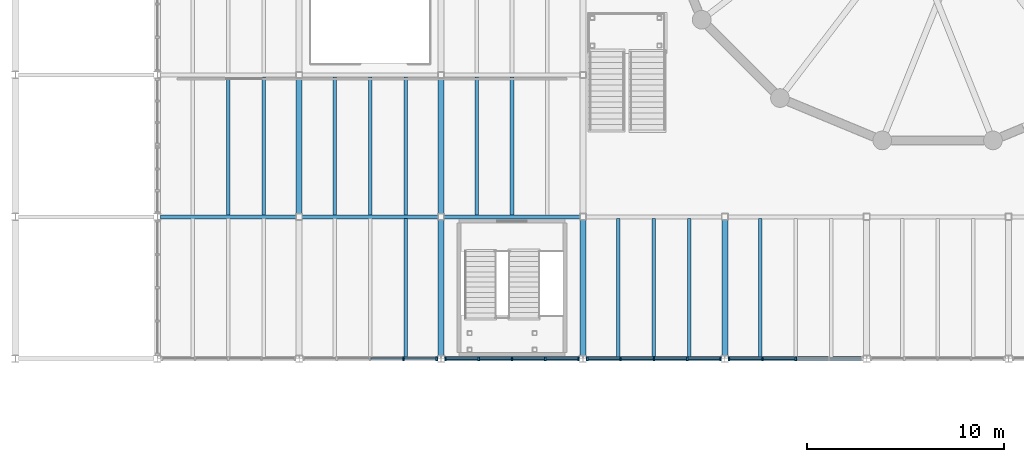
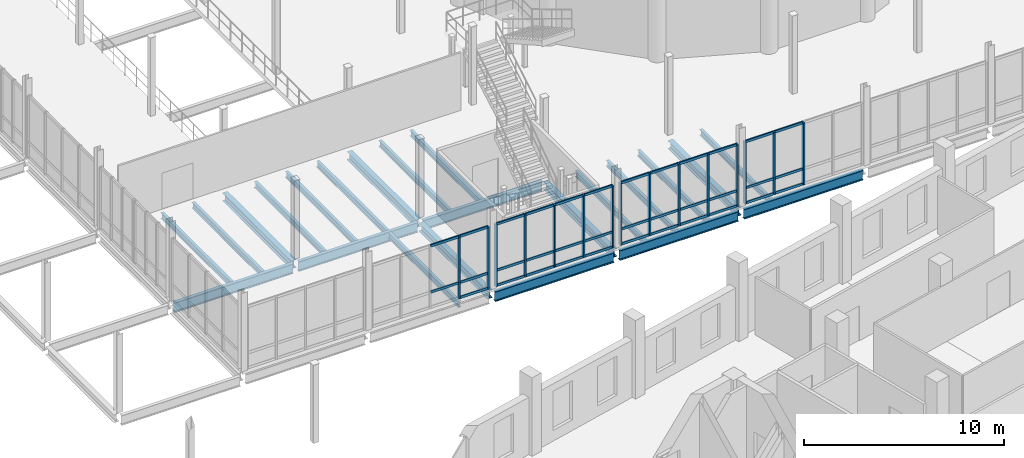
# One storey, part 22 of 77: 50 members, 23 beams, 4 elements without a shape of their own.
"""IFC4 building model written with IfcOpenShell, lengths in metres."""

from ifc_helpers import new_model, si_unit, direction, frame, origin, origin_2d, place, context, subcontext, project, spatial, rectangle, i_section, extrude, material, material_profile, profile_set, type_object, element, aggregate, save


model = new_model("IFC4")

# Units and contexts
model_context = context("Model", 3, precision=1e-05, world=origin(), true_north=direction((0.0, 1.0)))
body_context = subcontext(model_context, "Body", "Model", "MODEL_VIEW")
ifc_project = project(units=[si_unit("LENGTHUNIT", "METRE"), si_unit("AREAUNIT", "SQUARE_METRE"), si_unit("VOLUMEUNIT", "CUBIC_METRE"), si_unit("PLANEANGLEUNIT", "RADIAN"), si_unit("MASSUNIT", "GRAM", prefix="KILO")], contexts=[model_context])

# Site, building, storey
site_placement = place(None, origin())
site = spatial("IfcSite", under=ifc_project, at=site_placement, CompositionType="ELEMENT")
building_placement = place(site_placement, origin())
building = spatial("IfcBuilding", under=site, at=building_placement, Name="Qiaolan Assembly House", CompositionType="ELEMENT")
storey_placement = place(building_placement, frame((0.0, 0.0, 5.39990234375)))
storey = spatial("IfcBuildingStorey", under=building, at=storey_placement, Name="L01", CompositionType="ELEMENT", Elevation=5.39990234375)

# Beams
ifc_material_1 = material(Name="Steel Q355B", Category="steel")
ifc_material_profile_1 = material_profile(ifc_material_1, i_section(OverallWidth=0.300048828125, OverallDepth=0.488037109375, WebThickness=0.010986328125, FlangeThickness=0.01806640625, FilletRadius=0.02001953125, at=origin_2d()), Name="HM 488x300x11x18")
ifc_profile_set_1 = profile_set([ifc_material_profile_1], Name="Steel Q355B")
beam_type_1 = type_object("IfcBeamType", Name="BM-STL-HM488", PredefinedType="BEAM", material=ifc_profile_set_1)
beam_1_placement = place(storey_placement, frame((36.0, 43.35009765625, -0.5439453125), z_axis=(0.0, 1.0, 0.0), x_axis=(-1.0, 0.0, 0.0)))
element("IfcBeam", 1, at=beam_1_placement, inside=storey, type_object=beam_type_1, Name="SB-04 beam BMY-HL-L01-02-01", PredefinedType="BEAM", context=body_context, shape_type="SweptSolid", body=[
    extrude(i_section(OverallWidth=0.300048828125, OverallDepth=0.488037109375, WebThickness=0.010986328125, FlangeThickness=0.01806640625, FilletRadius=0.02001953125, at=origin_2d()), origin(), (0.0, 0.0, 1.0), 6.89990234375),
])
beam_2_placement = place(storey_placement, frame((43.199951171875, 36.1650390625, -0.5439453125), z_axis=(0.0, 1.0, 0.0), x_axis=(-1.0, 0.0, 0.0)))
element("IfcBeam", 2, at=beam_2_placement, inside=storey, type_object=beam_type_1, Name="SB-04 beam BMY-HL-L01-03-00", PredefinedType="BEAM", context=body_context, shape_type="SweptSolid", body=[
    extrude(i_section(OverallWidth=0.300048828125, OverallDepth=0.488037109375, WebThickness=0.010986328125, FlangeThickness=0.01806640625, FilletRadius=0.02001953125, at=origin_2d()), origin(), (0.0, 0.0, 1.0), 6.885009765625),
])
beam_3_placement = place(storey_placement, frame((43.199951171875, 43.35009765625, -0.5439453125), z_axis=(0.0, 1.0, 0.0), x_axis=(-1.0, 0.0, 0.0)))
element("IfcBeam", 3, at=beam_3_placement, inside=storey, type_object=beam_type_1, Name="SB-04 beam BMY-HL-L01-03-01", PredefinedType="BEAM", context=body_context, shape_type="SweptSolid", body=[
    extrude(i_section(OverallWidth=0.300048828125, OverallDepth=0.488037109375, WebThickness=0.010986328125, FlangeThickness=0.01806640625, FilletRadius=0.02001953125, at=origin_2d()), origin(), (0.0, 0.0, 1.0), 6.89990234375),
])
for number, where, z_axis, x_axis, name in (
    (4, (50.39990234375, 36.1650390625, -0.5439453125), (0.0, 1.0, 0.0), (-1.0, 0.0, 0.0), "SB-04 beam BMY-HL-L01-04-00"),
    (5, (57.60009765625, 36.1650390625, -0.5439453125), (0.0, 1.0, 0.0), (-1.0, 0.0, 0.0), "SB-04 beam BMY-HL-L01-05-00"),
):
    element("IfcBeam", number, at=place(storey_placement, frame(where, z_axis=z_axis, x_axis=x_axis)), inside=storey, type_object=beam_type_1, Name=name, PredefinedType="BEAM", context=body_context, shape_type="SweptSolid", body=[
        extrude(i_section(OverallWidth=0.300048828125, OverallDepth=0.488037109375, WebThickness=0.010986328125, FlangeThickness=0.01806640625, FilletRadius=0.02001953125, at=origin_2d()), origin(), (0.0, 0.0, 1.0), 6.885009765625),
    ])
ifc_material_profile_2 = material_profile(ifc_material_1, i_section(OverallWidth=0.199951171875, OverallDepth=0.60009765625, WebThickness=0.010986328125, FlangeThickness=0.01708984375, FilletRadius=0.02001953125, at=origin_2d()), Name="HN 600x200x11x17")
ifc_profile_set_2 = profile_set([ifc_material_profile_2], Name="Steel Q355B")
beam_type_2 = type_object("IfcBeamType", Name="BM-STL-HN600", PredefinedType="BEAM", material=ifc_profile_set_2)
for number, where, z_axis, x_axis, name in (
    (6, (43.364990234375, 36.0, -0.599853515625), (1.0, 0.0, 0.0), (0.0, 1.0, 0.0), "SB-03 beam BMX-HL-L01-03-00"),
    (7, (50.56494140625, 36.0, -0.599853515625), (1.0, 0.0, 0.0), (0.0, 1.0, 0.0), "SB-03 beam BMX-HL-L01-04-00"),
    (8, (57.764892578125, 36.0, -0.599853515625), (1.0, 0.0, 0.0), (0.0, 1.0, 0.0), "SB-03 beam BMX-HL-L01-05-00"),
):
    element("IfcBeam", number, at=place(storey_placement, frame(where, z_axis=z_axis, x_axis=x_axis)), inside=storey, type_object=beam_type_2, Name=name, PredefinedType="BEAM", context=body_context, shape_type="SweptSolid", body=[
        extrude(i_section(OverallWidth=0.199951171875, OverallDepth=0.60009765625, WebThickness=0.010986328125, FlangeThickness=0.01708984375, FilletRadius=0.02001953125, at=origin_2d()), origin(), (0.0, 0.0, 1.0), 6.8701171875),
    ])
beam_4_placement = place(storey_placement, frame((28.965087890625, 43.199951171875, -0.599853515625), z_axis=(1.0, 0.0, 0.0), x_axis=(0.0, 1.0, 0.0)))
element("IfcBeam", 9, at=beam_4_placement, inside=storey, type_object=beam_type_2, Name="SB-03 beam BMX-HL-L01-01-01", PredefinedType="BEAM", context=body_context, shape_type="SweptSolid", body=[
    extrude(i_section(OverallWidth=0.199951171875, OverallDepth=0.60009765625, WebThickness=0.010986328125, FlangeThickness=0.01708984375, FilletRadius=0.02001953125, at=origin_2d()), origin(), (0.0, 0.0, 1.0), 6.885009765625),
])
beam_5_placement = place(storey_placement, frame((36.14990234375, 43.199951171875, -0.599853515625), z_axis=(1.0, 0.0, 0.0), x_axis=(0.0, 1.0, 0.0)))
element("IfcBeam", 10, at=beam_5_placement, inside=storey, type_object=beam_type_2, Name="SB-03 beam BMX-HL-L01-02-01", PredefinedType="BEAM", context=body_context, shape_type="SweptSolid", body=[
    extrude(i_section(OverallWidth=0.199951171875, OverallDepth=0.60009765625, WebThickness=0.010986328125, FlangeThickness=0.01708984375, FilletRadius=0.02001953125, at=origin_2d()), origin(), (0.0, 0.0, 1.0), 6.900146484375),
])
beam_6_placement = place(storey_placement, frame((43.35009765625, 43.199951171875, -0.599853515625), z_axis=(1.0, 0.0, 0.0), x_axis=(0.0, 1.0, 0.0)))
element("IfcBeam", 11, at=beam_6_placement, inside=storey, type_object=beam_type_2, Name="SB-03 beam BMX-HL-L01-03-01", PredefinedType="BEAM", context=body_context, shape_type="SweptSolid", body=[
    extrude(i_section(OverallWidth=0.199951171875, OverallDepth=0.60009765625, WebThickness=0.010986328125, FlangeThickness=0.01708984375, FilletRadius=0.02001953125, at=origin_2d()), origin(), (0.0, 0.0, 1.0), 6.89990234375),
])

# Curtain wall, members
ifc_material_2 = material(Name="Anodised bronze aluminium", Category="aluminium")
curtain_wall_type = type_object("IfcCurtainWallType", Name="CW-HALL-UPPER-480", PredefinedType="NOTDEFINED", material=ifc_material_2)
curtain_wall_1_placement = place(storey_placement, origin())
curtain_wall_1 = element("IfcCurtainWall", 12, at=curtain_wall_1_placement, inside=storey, type_object=curtain_wall_type, Name="CW-01 Hall South plaza curtain wall L01-2", PredefinedType="NOTDEFINED")
ifc_material_profile_3 = material_profile(ifc_material_2, rectangle(XDim=0.0859375, YDim=0.199951171875, at=origin_2d()), Name="MUL 86x200")
ifc_profile_set_3 = profile_set([ifc_material_profile_3], Name="Anodised bronze aluminium")
member_type_1 = type_object("IfcMemberType", Name="CW-HALL-UPPER-480-MUL", PredefinedType="MULLION", material=ifc_profile_set_3)
member_1_placement = place(storey_placement, frame((41.2900390625, 36.0, 0.0), z_axis=(0.0, 0.0, 1.0), x_axis=(1.0, 0.0, 0.0)))
member_1 = element("IfcMember", 13, at=member_1_placement, type_object=member_type_1, Name="ML-02 mullion CW-HALL-S-L01-01-4", PredefinedType="MULLION", context=body_context, shape_type="SweptSolid", body=[
    extrude(rectangle(XDim=0.0859375, YDim=0.199951171875, at=origin_2d()), origin(), (0.0, 0.0, 1.0), 3.800048828125),
])
member_2_placement = place(storey_placement, frame((42.97998046875, 36.0, 0.0), z_axis=(0.0, 0.0, 1.0), x_axis=(1.0, 0.0, 0.0)))
member_2 = element("IfcMember", 14, at=member_2_placement, type_object=member_type_1, Name="ML-02 mullion CW-HALL-S-L01-01-5", PredefinedType="MULLION", context=body_context, shape_type="SweptSolid", body=[
    extrude(rectangle(XDim=0.0859375, YDim=0.199951171875, at=origin_2d()), origin(), (0.0, 0.0, 1.0), 3.800048828125),
])

curtain_wall_2_placement = place(storey_placement, origin())
curtain_wall_2 = element("IfcCurtainWall", 15, at=curtain_wall_2_placement, inside=storey, type_object=curtain_wall_type, Name="CW-01 Hall South plaza curtain wall L01-3", PredefinedType="NOTDEFINED")
member_3_placement = place(storey_placement, frame((43.419921875, 36.0, 0.0), z_axis=(0.0, 0.0, 1.0), x_axis=(1.0, 0.0, 0.0)))
member_3 = element("IfcMember", 16, at=member_3_placement, type_object=member_type_1, Name="ML-02 mullion CW-HALL-S-L01-02-1", PredefinedType="MULLION", context=body_context, shape_type="SweptSolid", body=[
    extrude(rectangle(XDim=0.0859375, YDim=0.199951171875, at=origin_2d()), origin(), (0.0, 0.0, 1.0), 3.800048828125),
])
member_4_placement = place(storey_placement, frame((45.110107421875, 36.0, 0.0), z_axis=(0.0, 0.0, 1.0), x_axis=(1.0, 0.0, 0.0)))
member_4 = element("IfcMember", 17, at=member_4_placement, type_object=member_type_1, Name="ML-02 mullion CW-HALL-S-L01-02-2", PredefinedType="MULLION", context=body_context, shape_type="SweptSolid", body=[
    extrude(rectangle(XDim=0.0859375, YDim=0.199951171875, at=origin_2d()), origin(), (0.0, 0.0, 1.0), 3.800048828125),
])
member_5_placement = place(storey_placement, frame((46.800048828125, 36.0, 0.0), z_axis=(0.0, 0.0, 1.0), x_axis=(1.0, 0.0, 0.0)))
member_5 = element("IfcMember", 18, at=member_5_placement, type_object=member_type_1, Name="ML-02 mullion CW-HALL-S-L01-02-3", PredefinedType="MULLION", context=body_context, shape_type="SweptSolid", body=[
    extrude(rectangle(XDim=0.0859375, YDim=0.199951171875, at=origin_2d()), origin(), (0.0, 0.0, 1.0), 3.800048828125),
])
member_6_placement = place(storey_placement, frame((48.489990234375, 36.0, 0.0), z_axis=(0.0, 0.0, 1.0), x_axis=(1.0, 0.0, 0.0)))
member_6 = element("IfcMember", 19, at=member_6_placement, type_object=member_type_1, Name="ML-02 mullion CW-HALL-S-L01-02-4", PredefinedType="MULLION", context=body_context, shape_type="SweptSolid", body=[
    extrude(rectangle(XDim=0.0859375, YDim=0.199951171875, at=origin_2d()), origin(), (0.0, 0.0, 1.0), 3.800048828125),
])
member_7_placement = place(storey_placement, frame((50.179931640625, 36.0, 0.0), z_axis=(0.0, 0.0, 1.0), x_axis=(1.0, 0.0, 0.0)))
member_7 = element("IfcMember", 20, at=member_7_placement, type_object=member_type_1, Name="ML-02 mullion CW-HALL-S-L01-02-5", PredefinedType="MULLION", context=body_context, shape_type="SweptSolid", body=[
    extrude(rectangle(XDim=0.0859375, YDim=0.199951171875, at=origin_2d()), origin(), (0.0, 0.0, 1.0), 3.800048828125),
])

curtain_wall_3_placement = place(storey_placement, origin())
curtain_wall_3 = element("IfcCurtainWall", 21, at=curtain_wall_3_placement, inside=storey, type_object=curtain_wall_type, Name="CW-01 Hall South plaza curtain wall L01-4", PredefinedType="NOTDEFINED")
member_8_placement = place(storey_placement, frame((50.6201171875, 36.0, 0.0), z_axis=(0.0, 0.0, 1.0), x_axis=(1.0, 0.0, 0.0)))
member_8 = element("IfcMember", 22, at=member_8_placement, type_object=member_type_1, Name="ML-02 mullion CW-HALL-S-L01-03-1", PredefinedType="MULLION", context=body_context, shape_type="SweptSolid", body=[
    extrude(rectangle(XDim=0.0859375, YDim=0.199951171875, at=origin_2d()), origin(), (0.0, 0.0, 1.0), 3.800048828125),
])
member_9_placement = place(storey_placement, frame((52.31005859375, 36.0, 0.0), z_axis=(0.0, 0.0, 1.0), x_axis=(1.0, 0.0, 0.0)))
member_9 = element("IfcMember", 23, at=member_9_placement, type_object=member_type_1, Name="ML-02 mullion CW-HALL-S-L01-03-2", PredefinedType="MULLION", context=body_context, shape_type="SweptSolid", body=[
    extrude(rectangle(XDim=0.0859375, YDim=0.199951171875, at=origin_2d()), origin(), (0.0, 0.0, 1.0), 3.800048828125),
])
member_10_placement = place(storey_placement, frame((54.0, 36.0, 0.0), z_axis=(0.0, 0.0, 1.0), x_axis=(1.0, 0.0, 0.0)))
member_10 = element("IfcMember", 24, at=member_10_placement, type_object=member_type_1, Name="ML-02 mullion CW-HALL-S-L01-03-3", PredefinedType="MULLION", context=body_context, shape_type="SweptSolid", body=[
    extrude(rectangle(XDim=0.0859375, YDim=0.199951171875, at=origin_2d()), origin(), (0.0, 0.0, 1.0), 3.800048828125),
])
member_11_placement = place(storey_placement, frame((55.68994140625, 36.0, 0.0), z_axis=(0.0, 0.0, 1.0), x_axis=(1.0, 0.0, 0.0)))
member_11 = element("IfcMember", 25, at=member_11_placement, type_object=member_type_1, Name="ML-02 mullion CW-HALL-S-L01-03-4", PredefinedType="MULLION", context=body_context, shape_type="SweptSolid", body=[
    extrude(rectangle(XDim=0.0859375, YDim=0.199951171875, at=origin_2d()), origin(), (0.0, 0.0, 1.0), 3.800048828125),
])
member_12_placement = place(storey_placement, frame((57.3798828125, 36.0, 0.0), z_axis=(0.0, 0.0, 1.0), x_axis=(1.0, 0.0, 0.0)))
member_12 = element("IfcMember", 26, at=member_12_placement, type_object=member_type_1, Name="ML-02 mullion CW-HALL-S-L01-03-5", PredefinedType="MULLION", context=body_context, shape_type="SweptSolid", body=[
    extrude(rectangle(XDim=0.0859375, YDim=0.199951171875, at=origin_2d()), origin(), (0.0, 0.0, 1.0), 3.800048828125),
])

curtain_wall_4_placement = place(storey_placement, origin())
curtain_wall_4 = element("IfcCurtainWall", 27, at=curtain_wall_4_placement, inside=storey, type_object=curtain_wall_type, Name="CW-01 Hall South plaza curtain wall L01-5", PredefinedType="NOTDEFINED")
member_13_placement = place(storey_placement, frame((57.820068359375, 36.0, 0.0), z_axis=(0.0, 0.0, 1.0), x_axis=(1.0, 0.0, 0.0)))
member_13 = element("IfcMember", 28, at=member_13_placement, type_object=member_type_1, Name="ML-02 mullion CW-HALL-S-L01-04-1", PredefinedType="MULLION", context=body_context, shape_type="SweptSolid", body=[
    extrude(rectangle(XDim=0.0859375, YDim=0.199951171875, at=origin_2d()), origin(), (0.0, 0.0, 1.0), 3.800048828125),
])
member_14_placement = place(storey_placement, frame((59.510009765625, 36.0, 0.0), z_axis=(0.0, 0.0, 1.0), x_axis=(1.0, 0.0, 0.0)))
member_14 = element("IfcMember", 29, at=member_14_placement, type_object=member_type_1, Name="ML-02 mullion CW-HALL-S-L01-04-2", PredefinedType="MULLION", context=body_context, shape_type="SweptSolid", body=[
    extrude(rectangle(XDim=0.0859375, YDim=0.199951171875, at=origin_2d()), origin(), (0.0, 0.0, 1.0), 3.800048828125),
])
member_15_placement = place(storey_placement, frame((61.199951171875, 36.0, 0.0), z_axis=(0.0, 0.0, 1.0), x_axis=(1.0, 0.0, 0.0)))
member_15 = element("IfcMember", 30, at=member_15_placement, type_object=member_type_1, Name="ML-02 mullion CW-HALL-S-L01-04-3", PredefinedType="MULLION", context=body_context, shape_type="SweptSolid", body=[
    extrude(rectangle(XDim=0.0859375, YDim=0.199951171875, at=origin_2d()), origin(), (0.0, 0.0, 1.0), 3.800048828125),
])

# Member
ifc_material_profile_4 = material_profile(ifc_material_2, rectangle(XDim=0.075927734375, YDim=0.14990234375, at=origin_2d()), Name="TRN 76x150")
ifc_profile_set_4 = profile_set([ifc_material_profile_4], Name="Anodised bronze aluminium")
member_type_2 = type_object("IfcMemberType", Name="CW-HALL-UPPER-480-TRN", PredefinedType="USERDEFINED", material=ifc_profile_set_4)
member_16_placement = place(storey_placement, frame((39.64306640625, 36.0, 0.9501953125), z_axis=(1.0, 0.0, 0.0), x_axis=(0.0, 1.0, 0.0)))
member_16 = element("IfcMember", 31, at=member_16_placement, type_object=member_type_2, Name="TR-02 transom CW-HALL-S-L01-01-3-2", ObjectType="TRANSOM", PredefinedType="USERDEFINED", context=body_context, shape_type="SweptSolid", body=[
    extrude(rectangle(XDim=0.075927734375, YDim=0.14990234375, at=origin_2d()), origin(), (0.0, 0.0, 1.0), 1.60400390625),
])

member_17_placement = place(storey_placement, frame((39.64306640625, 36.0, 3.77001953125), z_axis=(1.0, 0.0, 0.0), x_axis=(0.0, 1.0, 0.0)))
member_17 = element("IfcMember", 32, at=member_17_placement, type_object=member_type_2, Name="TR-02 transom CW-HALL-S-L01-01-3-3", ObjectType="TRANSOM", PredefinedType="USERDEFINED", context=body_context, shape_type="SweptSolid", body=[
    extrude(rectangle(XDim=0.075927734375, YDim=0.14990234375, at=origin_2d()), origin(), (0.0, 0.0, 1.0), 1.60400390625),
])

member_18_placement = place(storey_placement, frame((41.3330078125, 36.0, 0.030029296875), z_axis=(1.0, 0.0, 0.0), x_axis=(0.0, 1.0, 0.0)))
member_18 = element("IfcMember", 33, at=member_18_placement, type_object=member_type_2, Name="TR-02 transom CW-HALL-S-L01-01-4-1", ObjectType="TRANSOM", PredefinedType="USERDEFINED", context=body_context, shape_type="SweptSolid", body=[
    extrude(rectangle(XDim=0.075927734375, YDim=0.14990234375, at=origin_2d()), origin(), (0.0, 0.0, 1.0), 1.60400390625),
])

member_19_placement = place(storey_placement, frame((41.3330078125, 36.0, 0.9501953125), z_axis=(1.0, 0.0, 0.0), x_axis=(0.0, 1.0, 0.0)))
member_19 = element("IfcMember", 34, at=member_19_placement, type_object=member_type_2, Name="TR-02 transom CW-HALL-S-L01-01-4-2", ObjectType="TRANSOM", PredefinedType="USERDEFINED", context=body_context, shape_type="SweptSolid", body=[
    extrude(rectangle(XDim=0.075927734375, YDim=0.14990234375, at=origin_2d()), origin(), (0.0, 0.0, 1.0), 1.60400390625),
])

member_20_placement = place(storey_placement, frame((41.3330078125, 36.0, 3.77001953125), z_axis=(1.0, 0.0, 0.0), x_axis=(0.0, 1.0, 0.0)))
member_20 = element("IfcMember", 35, at=member_20_placement, type_object=member_type_2, Name="TR-02 transom CW-HALL-S-L01-01-4-3", ObjectType="TRANSOM", PredefinedType="USERDEFINED", context=body_context, shape_type="SweptSolid", body=[
    extrude(rectangle(XDim=0.075927734375, YDim=0.14990234375, at=origin_2d()), origin(), (0.0, 0.0, 1.0), 1.60400390625),
])

aggregate(curtain_wall_1, [member_1, member_2, member_16, member_17, member_18, member_19, member_20])

member_21_placement = place(storey_placement, frame((43.462890625, 36.0, 0.030029296875), z_axis=(1.0, 0.0, 0.0), x_axis=(0.0, 1.0, 0.0)))
member_21 = element("IfcMember", 36, at=member_21_placement, type_object=member_type_2, Name="TR-02 transom CW-HALL-S-L01-02-1-1", ObjectType="TRANSOM", PredefinedType="USERDEFINED", context=body_context, shape_type="SweptSolid", body=[
    extrude(rectangle(XDim=0.075927734375, YDim=0.14990234375, at=origin_2d()), origin(), (0.0, 0.0, 1.0), 1.60400390625),
])

member_22_placement = place(storey_placement, frame((43.462890625, 36.0, 0.9501953125), z_axis=(1.0, 0.0, 0.0), x_axis=(0.0, 1.0, 0.0)))
member_22 = element("IfcMember", 37, at=member_22_placement, type_object=member_type_2, Name="TR-02 transom CW-HALL-S-L01-02-1-2", ObjectType="TRANSOM", PredefinedType="USERDEFINED", context=body_context, shape_type="SweptSolid", body=[
    extrude(rectangle(XDim=0.075927734375, YDim=0.14990234375, at=origin_2d()), origin(), (0.0, 0.0, 1.0), 1.60400390625),
])

member_23_placement = place(storey_placement, frame((43.462890625, 36.0, 3.77001953125), z_axis=(1.0, 0.0, 0.0), x_axis=(0.0, 1.0, 0.0)))
member_23 = element("IfcMember", 38, at=member_23_placement, type_object=member_type_2, Name="TR-02 transom CW-HALL-S-L01-02-1-3", ObjectType="TRANSOM", PredefinedType="USERDEFINED", context=body_context, shape_type="SweptSolid", body=[
    extrude(rectangle(XDim=0.075927734375, YDim=0.14990234375, at=origin_2d()), origin(), (0.0, 0.0, 1.0), 1.60400390625),
])

member_24_placement = place(storey_placement, frame((45.153076171875, 36.0, 0.030029296875), z_axis=(1.0, 0.0, 0.0), x_axis=(0.0, 1.0, 0.0)))
member_24 = element("IfcMember", 39, at=member_24_placement, type_object=member_type_2, Name="TR-02 transom CW-HALL-S-L01-02-2-1", ObjectType="TRANSOM", PredefinedType="USERDEFINED", context=body_context, shape_type="SweptSolid", body=[
    extrude(rectangle(XDim=0.075927734375, YDim=0.14990234375, at=origin_2d()), origin(), (0.0, 0.0, 1.0), 1.60400390625),
])

member_25_placement = place(storey_placement, frame((45.153076171875, 36.0, 0.9501953125), z_axis=(1.0, 0.0, 0.0), x_axis=(0.0, 1.0, 0.0)))
member_25 = element("IfcMember", 40, at=member_25_placement, type_object=member_type_2, Name="TR-02 transom CW-HALL-S-L01-02-2-2", ObjectType="TRANSOM", PredefinedType="USERDEFINED", context=body_context, shape_type="SweptSolid", body=[
    extrude(rectangle(XDim=0.075927734375, YDim=0.14990234375, at=origin_2d()), origin(), (0.0, 0.0, 1.0), 1.60400390625),
])

member_26_placement = place(storey_placement, frame((45.153076171875, 36.0, 3.77001953125), z_axis=(1.0, 0.0, 0.0), x_axis=(0.0, 1.0, 0.0)))
member_26 = element("IfcMember", 41, at=member_26_placement, type_object=member_type_2, Name="TR-02 transom CW-HALL-S-L01-02-2-3", ObjectType="TRANSOM", PredefinedType="USERDEFINED", context=body_context, shape_type="SweptSolid", body=[
    extrude(rectangle(XDim=0.075927734375, YDim=0.14990234375, at=origin_2d()), origin(), (0.0, 0.0, 1.0), 1.60400390625),
])

member_27_placement = place(storey_placement, frame((46.843017578125, 36.0, 0.030029296875), z_axis=(1.0, 0.0, 0.0), x_axis=(0.0, 1.0, 0.0)))
member_27 = element("IfcMember", 42, at=member_27_placement, type_object=member_type_2, Name="TR-02 transom CW-HALL-S-L01-02-3-1", ObjectType="TRANSOM", PredefinedType="USERDEFINED", context=body_context, shape_type="SweptSolid", body=[
    extrude(rectangle(XDim=0.075927734375, YDim=0.14990234375, at=origin_2d()), origin(), (0.0, 0.0, 1.0), 1.60400390625),
])

member_28_placement = place(storey_placement, frame((46.843017578125, 36.0, 0.9501953125), z_axis=(1.0, 0.0, 0.0), x_axis=(0.0, 1.0, 0.0)))
member_28 = element("IfcMember", 43, at=member_28_placement, type_object=member_type_2, Name="TR-02 transom CW-HALL-S-L01-02-3-2", ObjectType="TRANSOM", PredefinedType="USERDEFINED", context=body_context, shape_type="SweptSolid", body=[
    extrude(rectangle(XDim=0.075927734375, YDim=0.14990234375, at=origin_2d()), origin(), (0.0, 0.0, 1.0), 1.60400390625),
])

member_29_placement = place(storey_placement, frame((46.843017578125, 36.0, 3.77001953125), z_axis=(1.0, 0.0, 0.0), x_axis=(0.0, 1.0, 0.0)))
member_29 = element("IfcMember", 44, at=member_29_placement, type_object=member_type_2, Name="TR-02 transom CW-HALL-S-L01-02-3-3", ObjectType="TRANSOM", PredefinedType="USERDEFINED", context=body_context, shape_type="SweptSolid", body=[
    extrude(rectangle(XDim=0.075927734375, YDim=0.14990234375, at=origin_2d()), origin(), (0.0, 0.0, 1.0), 1.60400390625),
])

member_30_placement = place(storey_placement, frame((48.532958984375, 36.0, 0.030029296875), z_axis=(1.0, 0.0, 0.0), x_axis=(0.0, 1.0, 0.0)))
member_30 = element("IfcMember", 45, at=member_30_placement, type_object=member_type_2, Name="TR-02 transom CW-HALL-S-L01-02-4-1", ObjectType="TRANSOM", PredefinedType="USERDEFINED", context=body_context, shape_type="SweptSolid", body=[
    extrude(rectangle(XDim=0.075927734375, YDim=0.14990234375, at=origin_2d()), origin(), (0.0, 0.0, 1.0), 1.60400390625),
])

member_31_placement = place(storey_placement, frame((48.532958984375, 36.0, 0.9501953125), z_axis=(1.0, 0.0, 0.0), x_axis=(0.0, 1.0, 0.0)))
member_31 = element("IfcMember", 46, at=member_31_placement, type_object=member_type_2, Name="TR-02 transom CW-HALL-S-L01-02-4-2", ObjectType="TRANSOM", PredefinedType="USERDEFINED", context=body_context, shape_type="SweptSolid", body=[
    extrude(rectangle(XDim=0.075927734375, YDim=0.14990234375, at=origin_2d()), origin(), (0.0, 0.0, 1.0), 1.60400390625),
])

member_32_placement = place(storey_placement, frame((48.532958984375, 36.0, 3.77001953125), z_axis=(1.0, 0.0, 0.0), x_axis=(0.0, 1.0, 0.0)))
member_32 = element("IfcMember", 47, at=member_32_placement, type_object=member_type_2, Name="TR-02 transom CW-HALL-S-L01-02-4-3", ObjectType="TRANSOM", PredefinedType="USERDEFINED", context=body_context, shape_type="SweptSolid", body=[
    extrude(rectangle(XDim=0.075927734375, YDim=0.14990234375, at=origin_2d()), origin(), (0.0, 0.0, 1.0), 1.60400390625),
])

aggregate(curtain_wall_2, [member_3, member_4, member_5, member_6, member_7, member_21, member_22, member_23, member_24, member_25, member_26, member_27, member_28, member_29, member_30, member_31, member_32])

member_33_placement = place(storey_placement, frame((50.6630859375, 36.0, 0.030029296875), z_axis=(1.0, 0.0, 0.0), x_axis=(0.0, 1.0, 0.0)))
member_33 = element("IfcMember", 48, at=member_33_placement, type_object=member_type_2, Name="TR-02 transom CW-HALL-S-L01-03-1-1", ObjectType="TRANSOM", PredefinedType="USERDEFINED", context=body_context, shape_type="SweptSolid", body=[
    extrude(rectangle(XDim=0.075927734375, YDim=0.14990234375, at=origin_2d()), origin(), (0.0, 0.0, 1.0), 1.60400390625),
])

member_34_placement = place(storey_placement, frame((50.6630859375, 36.0, 0.9501953125), z_axis=(1.0, 0.0, 0.0), x_axis=(0.0, 1.0, 0.0)))
member_34 = element("IfcMember", 49, at=member_34_placement, type_object=member_type_2, Name="TR-02 transom CW-HALL-S-L01-03-1-2", ObjectType="TRANSOM", PredefinedType="USERDEFINED", context=body_context, shape_type="SweptSolid", body=[
    extrude(rectangle(XDim=0.075927734375, YDim=0.14990234375, at=origin_2d()), origin(), (0.0, 0.0, 1.0), 1.60400390625),
])

member_35_placement = place(storey_placement, frame((50.6630859375, 36.0, 3.77001953125), z_axis=(1.0, 0.0, 0.0), x_axis=(0.0, 1.0, 0.0)))
member_35 = element("IfcMember", 50, at=member_35_placement, type_object=member_type_2, Name="TR-02 transom CW-HALL-S-L01-03-1-3", ObjectType="TRANSOM", PredefinedType="USERDEFINED", context=body_context, shape_type="SweptSolid", body=[
    extrude(rectangle(XDim=0.075927734375, YDim=0.14990234375, at=origin_2d()), origin(), (0.0, 0.0, 1.0), 1.60400390625),
])

member_36_placement = place(storey_placement, frame((52.35302734375, 36.0, 0.030029296875), z_axis=(1.0, 0.0, 0.0), x_axis=(0.0, 1.0, 0.0)))
member_36 = element("IfcMember", 51, at=member_36_placement, type_object=member_type_2, Name="TR-02 transom CW-HALL-S-L01-03-2-1", ObjectType="TRANSOM", PredefinedType="USERDEFINED", context=body_context, shape_type="SweptSolid", body=[
    extrude(rectangle(XDim=0.075927734375, YDim=0.14990234375, at=origin_2d()), origin(), (0.0, 0.0, 1.0), 1.60400390625),
])

member_37_placement = place(storey_placement, frame((52.35302734375, 36.0, 0.9501953125), z_axis=(1.0, 0.0, 0.0), x_axis=(0.0, 1.0, 0.0)))
member_37 = element("IfcMember", 52, at=member_37_placement, type_object=member_type_2, Name="TR-02 transom CW-HALL-S-L01-03-2-2", ObjectType="TRANSOM", PredefinedType="USERDEFINED", context=body_context, shape_type="SweptSolid", body=[
    extrude(rectangle(XDim=0.075927734375, YDim=0.14990234375, at=origin_2d()), origin(), (0.0, 0.0, 1.0), 1.60400390625),
])

member_38_placement = place(storey_placement, frame((52.35302734375, 36.0, 3.77001953125), z_axis=(1.0, 0.0, 0.0), x_axis=(0.0, 1.0, 0.0)))
member_38 = element("IfcMember", 53, at=member_38_placement, type_object=member_type_2, Name="TR-02 transom CW-HALL-S-L01-03-2-3", ObjectType="TRANSOM", PredefinedType="USERDEFINED", context=body_context, shape_type="SweptSolid", body=[
    extrude(rectangle(XDim=0.075927734375, YDim=0.14990234375, at=origin_2d()), origin(), (0.0, 0.0, 1.0), 1.60400390625),
])

member_39_placement = place(storey_placement, frame((54.04296875, 36.0, 0.030029296875), z_axis=(1.0, 0.0, 0.0), x_axis=(0.0, 1.0, 0.0)))
member_39 = element("IfcMember", 54, at=member_39_placement, type_object=member_type_2, Name="TR-02 transom CW-HALL-S-L01-03-3-1", ObjectType="TRANSOM", PredefinedType="USERDEFINED", context=body_context, shape_type="SweptSolid", body=[
    extrude(rectangle(XDim=0.075927734375, YDim=0.14990234375, at=origin_2d()), origin(), (0.0, 0.0, 1.0), 1.60400390625),
])

member_40_placement = place(storey_placement, frame((54.04296875, 36.0, 0.9501953125), z_axis=(1.0, 0.0, 0.0), x_axis=(0.0, 1.0, 0.0)))
member_40 = element("IfcMember", 55, at=member_40_placement, type_object=member_type_2, Name="TR-02 transom CW-HALL-S-L01-03-3-2", ObjectType="TRANSOM", PredefinedType="USERDEFINED", context=body_context, shape_type="SweptSolid", body=[
    extrude(rectangle(XDim=0.075927734375, YDim=0.14990234375, at=origin_2d()), origin(), (0.0, 0.0, 1.0), 1.60400390625),
])

member_41_placement = place(storey_placement, frame((54.04296875, 36.0, 3.77001953125), z_axis=(1.0, 0.0, 0.0), x_axis=(0.0, 1.0, 0.0)))
member_41 = element("IfcMember", 56, at=member_41_placement, type_object=member_type_2, Name="TR-02 transom CW-HALL-S-L01-03-3-3", ObjectType="TRANSOM", PredefinedType="USERDEFINED", context=body_context, shape_type="SweptSolid", body=[
    extrude(rectangle(XDim=0.075927734375, YDim=0.14990234375, at=origin_2d()), origin(), (0.0, 0.0, 1.0), 1.60400390625),
])

member_42_placement = place(storey_placement, frame((55.73291015625, 36.0, 0.030029296875), z_axis=(1.0, 0.0, 0.0), x_axis=(0.0, 1.0, 0.0)))
member_42 = element("IfcMember", 57, at=member_42_placement, type_object=member_type_2, Name="TR-02 transom CW-HALL-S-L01-03-4-1", ObjectType="TRANSOM", PredefinedType="USERDEFINED", context=body_context, shape_type="SweptSolid", body=[
    extrude(rectangle(XDim=0.075927734375, YDim=0.14990234375, at=origin_2d()), origin(), (0.0, 0.0, 1.0), 1.60400390625),
])

member_43_placement = place(storey_placement, frame((55.73291015625, 36.0, 0.9501953125), z_axis=(1.0, 0.0, 0.0), x_axis=(0.0, 1.0, 0.0)))
member_43 = element("IfcMember", 58, at=member_43_placement, type_object=member_type_2, Name="TR-02 transom CW-HALL-S-L01-03-4-2", ObjectType="TRANSOM", PredefinedType="USERDEFINED", context=body_context, shape_type="SweptSolid", body=[
    extrude(rectangle(XDim=0.075927734375, YDim=0.14990234375, at=origin_2d()), origin(), (0.0, 0.0, 1.0), 1.60400390625),
])

member_44_placement = place(storey_placement, frame((55.73291015625, 36.0, 3.77001953125), z_axis=(1.0, 0.0, 0.0), x_axis=(0.0, 1.0, 0.0)))
member_44 = element("IfcMember", 59, at=member_44_placement, type_object=member_type_2, Name="TR-02 transom CW-HALL-S-L01-03-4-3", ObjectType="TRANSOM", PredefinedType="USERDEFINED", context=body_context, shape_type="SweptSolid", body=[
    extrude(rectangle(XDim=0.075927734375, YDim=0.14990234375, at=origin_2d()), origin(), (0.0, 0.0, 1.0), 1.60400390625),
])

aggregate(curtain_wall_3, [member_8, member_9, member_10, member_11, member_12, member_33, member_34, member_35, member_36, member_37, member_38, member_39, member_40, member_41, member_42, member_43, member_44])

member_45_placement = place(storey_placement, frame((57.863037109375, 36.0, 0.030029296875), z_axis=(1.0, 0.0, 0.0), x_axis=(0.0, 1.0, 0.0)))
member_45 = element("IfcMember", 60, at=member_45_placement, type_object=member_type_2, Name="TR-02 transom CW-HALL-S-L01-04-1-1", ObjectType="TRANSOM", PredefinedType="USERDEFINED", context=body_context, shape_type="SweptSolid", body=[
    extrude(rectangle(XDim=0.075927734375, YDim=0.14990234375, at=origin_2d()), origin(), (0.0, 0.0, 1.0), 1.60400390625),
])

member_46_placement = place(storey_placement, frame((57.863037109375, 36.0, 0.9501953125), z_axis=(1.0, 0.0, 0.0), x_axis=(0.0, 1.0, 0.0)))
member_46 = element("IfcMember", 61, at=member_46_placement, type_object=member_type_2, Name="TR-02 transom CW-HALL-S-L01-04-1-2", ObjectType="TRANSOM", PredefinedType="USERDEFINED", context=body_context, shape_type="SweptSolid", body=[
    extrude(rectangle(XDim=0.075927734375, YDim=0.14990234375, at=origin_2d()), origin(), (0.0, 0.0, 1.0), 1.60400390625),
])

member_47_placement = place(storey_placement, frame((57.863037109375, 36.0, 3.77001953125), z_axis=(1.0, 0.0, 0.0), x_axis=(0.0, 1.0, 0.0)))
member_47 = element("IfcMember", 62, at=member_47_placement, type_object=member_type_2, Name="TR-02 transom CW-HALL-S-L01-04-1-3", ObjectType="TRANSOM", PredefinedType="USERDEFINED", context=body_context, shape_type="SweptSolid", body=[
    extrude(rectangle(XDim=0.075927734375, YDim=0.14990234375, at=origin_2d()), origin(), (0.0, 0.0, 1.0), 1.60400390625),
])

member_48_placement = place(storey_placement, frame((59.552978515625, 36.0, 0.030029296875), z_axis=(1.0, 0.0, 0.0), x_axis=(0.0, 1.0, 0.0)))
member_48 = element("IfcMember", 63, at=member_48_placement, type_object=member_type_2, Name="TR-02 transom CW-HALL-S-L01-04-2-1", ObjectType="TRANSOM", PredefinedType="USERDEFINED", context=body_context, shape_type="SweptSolid", body=[
    extrude(rectangle(XDim=0.075927734375, YDim=0.14990234375, at=origin_2d()), origin(), (0.0, 0.0, 1.0), 1.60400390625),
])

member_49_placement = place(storey_placement, frame((59.552978515625, 36.0, 0.9501953125), z_axis=(1.0, 0.0, 0.0), x_axis=(0.0, 1.0, 0.0)))
member_49 = element("IfcMember", 64, at=member_49_placement, type_object=member_type_2, Name="TR-02 transom CW-HALL-S-L01-04-2-2", ObjectType="TRANSOM", PredefinedType="USERDEFINED", context=body_context, shape_type="SweptSolid", body=[
    extrude(rectangle(XDim=0.075927734375, YDim=0.14990234375, at=origin_2d()), origin(), (0.0, 0.0, 1.0), 1.60400390625),
])

member_50_placement = place(storey_placement, frame((59.552978515625, 36.0, 3.77001953125), z_axis=(1.0, 0.0, 0.0), x_axis=(0.0, 1.0, 0.0)))
member_50 = element("IfcMember", 65, at=member_50_placement, type_object=member_type_2, Name="TR-02 transom CW-HALL-S-L01-04-2-3", ObjectType="TRANSOM", PredefinedType="USERDEFINED", context=body_context, shape_type="SweptSolid", body=[
    extrude(rectangle(XDim=0.075927734375, YDim=0.14990234375, at=origin_2d()), origin(), (0.0, 0.0, 1.0), 1.60400390625),
])

aggregate(curtain_wall_4, [member_13, member_14, member_15, member_45, member_46, member_47, member_48, member_49, member_50])

# Beams
ifc_material_profile_5 = material_profile(ifc_material_1, i_section(OverallWidth=0.179931640625, OverallDepth=0.360107421875, WebThickness=0.008056640625, FlangeThickness=0.011962890625, FilletRadius=0.013916015625, at=origin_2d()), Name="HN 360x180x8x12")
ifc_profile_set_5 = profile_set([ifc_material_profile_5], Name="Steel Q355B")
beam_type_3 = type_object("IfcBeamType", Name="JST-STL-HN360", PredefinedType="JOIST", material=ifc_profile_set_5)
for number, where, z_axis, x_axis, name in (
    (66, (32.39990234375, 43.2939453125, -0.47998046875), (0.0, 1.0, 0.0), (-1.0, 0.0, 0.0), "SJ-06 beam JST-HL-L01-01-01-2"),
    (67, (34.199951171875, 43.2939453125, -0.47998046875), (0.0, 1.0, 0.0), (-1.0, 0.0, 0.0), "SJ-06 beam JST-HL-L01-01-01-3"),
    (68, (41.39990234375, 36.093994140625, -0.47998046875), (0.0, 1.0, 0.0), (-1.0, 0.0, 0.0), "SJ-06 beam JST-HL-L01-02-00-3"),
    (69, (37.800048828125, 43.2939453125, -0.47998046875), (0.0, 1.0, 0.0), (-1.0, 0.0, 0.0), "SJ-06 beam JST-HL-L01-02-01-1"),
    (70, (39.60009765625, 43.2939453125, -0.47998046875), (0.0, 1.0, 0.0), (-1.0, 0.0, 0.0), "SJ-06 beam JST-HL-L01-02-01-2"),
    (71, (41.39990234375, 43.2939453125, -0.47998046875), (0.0, 1.0, 0.0), (-1.0, 0.0, 0.0), "SJ-06 beam JST-HL-L01-02-01-3"),
    (72, (45.0, 43.2939453125, -0.47998046875), (0.0, 1.0, 0.0), (-1.0, 0.0, 0.0), "SJ-06 beam JST-HL-L01-03-01-1"),
    (73, (46.800048828125, 43.2939453125, -0.47998046875), (0.0, 1.0, 0.0), (-1.0, 0.0, 0.0), "SJ-06 beam JST-HL-L01-03-01-2"),
    (74, (52.199951171875, 36.093994140625, -0.47998046875), (0.0, 1.0, 0.0), (-1.0, 0.0, 0.0), "SJ-06 beam JST-HL-L01-04-00-1"),
    (75, (54.0, 36.093994140625, -0.47998046875), (0.0, 1.0, 0.0), (-1.0, 0.0, 0.0), "SJ-06 beam JST-HL-L01-04-00-2"),
    (76, (55.800048828125, 36.093994140625, -0.47998046875), (0.0, 1.0, 0.0), (-1.0, 0.0, 0.0), "SJ-06 beam JST-HL-L01-04-00-3"),
    (77, (59.39990234375, 36.093994140625, -0.47998046875), (0.0, 1.0, 0.0), (-1.0, 0.0, 0.0), "SJ-06 beam JST-HL-L01-05-00-1"),
):
    element("IfcBeam", number, at=place(storey_placement, frame(where, z_axis=z_axis, x_axis=x_axis)), inside=storey, type_object=beam_type_3, Name=name, PredefinedType="JOIST", context=body_context, shape_type="SweptSolid", body=[
        extrude(i_section(OverallWidth=0.179931640625, OverallDepth=0.360107421875, WebThickness=0.008056640625, FlangeThickness=0.011962890625, FilletRadius=0.013916015625, at=origin_2d()), origin(), (0.0, 0.0, 1.0), 7.011962890625),
    ])

save(model, "model.ifc")
